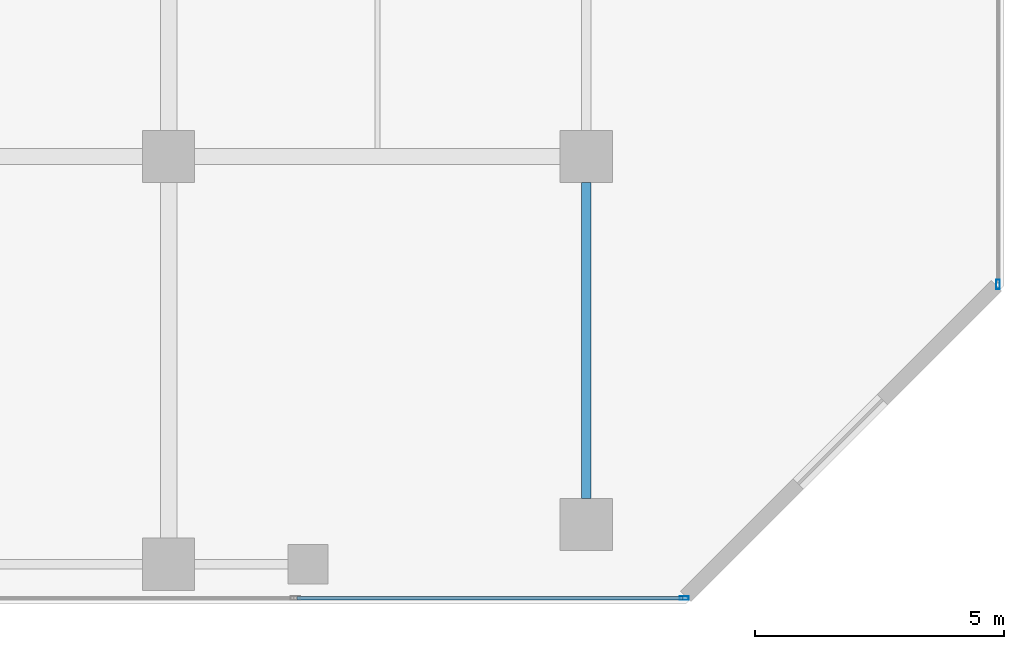
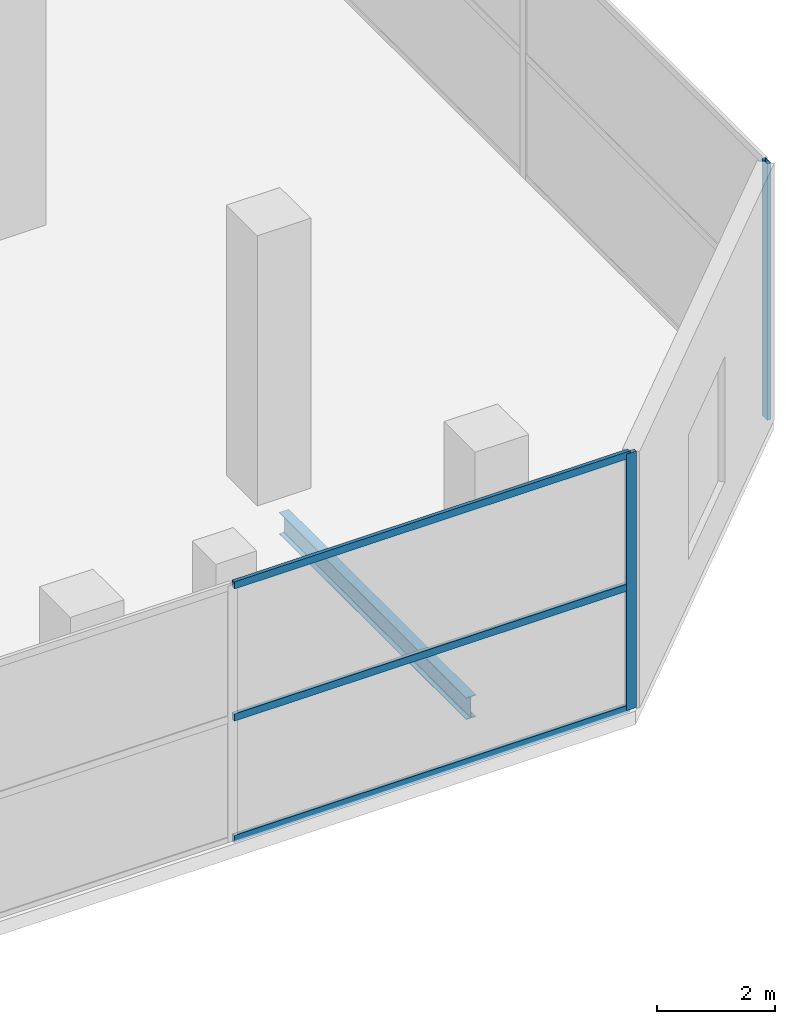
# One storey, part 24 of 40: 5 members, 1 beam, 2 elements without a shape of their own.
"""IFC4 building model written with IfcOpenShell, lengths in metres."""

from ifc_helpers import new_model, si_unit, direction, frame, origin, origin_2d, place, context, subcontext, project, spatial, hollow_rectangle, i_section, extrude, material, layer, layer_set, material_profile, profile_set, type_object, element, aggregate, save


model = new_model("IFC4")

# Units and contexts
model_context = context("Model", 3, precision=1e-05, world=origin(), true_north=direction((0.0, 1.0)))
body_context = subcontext(model_context, "Body", "Model", "MODEL_VIEW")
ifc_project = project(units=[si_unit("LENGTHUNIT", "METRE"), si_unit("AREAUNIT", "SQUARE_METRE"), si_unit("VOLUMEUNIT", "CUBIC_METRE"), si_unit("PLANEANGLEUNIT", "RADIAN"), si_unit("MASSUNIT", "GRAM", prefix="KILO")], contexts=[model_context])

# Site, building, storey
site_placement = place(None, origin())
site = spatial("IfcSite", under=ifc_project, at=site_placement, CompositionType="ELEMENT")
building_placement = place(site_placement, origin())
building = spatial("IfcBuilding", under=site, at=building_placement, Name="Maruvema Waterfront Hotel and Observation Tower", CompositionType="ELEMENT")
storey_placement = place(building_placement, frame((0.0, 0.0, 10.85009765625)))
storey = spatial("IfcBuildingStorey", under=building, at=storey_placement, Name="L02", CompositionType="ELEMENT", Elevation=10.85009765625)

# Curtain wall, members
ifc_material_1 = material(Name="Anodised bronze aluminium and solar-control low-E IGU", Category="aluminium")
ifc_layer = layer(ifc_material_1, 0.159912109375, Name="Podium Waterfront Storefront Curtain Wall System CW-01")
ifc_layer_set = layer_set([ifc_layer], Name="Anodised bronze aluminium and solar-control low-E IGU")
curtain_wall_type = type_object("IfcCurtainWallType", Name="Podium Waterfront Storefront Curtain Wall System CW-01", PredefinedType="USERDEFINED", material=ifc_layer_set)
curtain_wall_1_placement = place(storey_placement, origin())
curtain_wall_1 = element("IfcCurtainWall", 1, at=curtain_wall_1_placement, inside=storey, type_object=curtain_wall_type, Name="L02 Curtain Wall CW-L02-S", ObjectType="UNITISED CURTAIN WALL", PredefinedType="USERDEFINED")
ifc_material_2 = material(Name="Anodised architectural bronze aluminium", Category="aluminium")
ifc_material_profile_1 = material_profile(ifc_material_2, hollow_rectangle(XDim=0.070068359375, YDim=0.14990234375, WallThickness=0.00390625, at=origin_2d()), Name="ALU-T70x150")
ifc_profile_set_1 = profile_set([ifc_material_profile_1], Name="Anodised architectural bronze aluminium")
member_type_1 = type_object("IfcMemberType", Name="Curtain Wall Horizontal Transom ALU-T70x150", PredefinedType="USERDEFINED", material=ifc_profile_set_1)
member_1_placement = place(storey_placement, frame((61.3798828125, 0.1201171875, 0.02978515625), z_axis=(1.0, 0.0, 0.0), x_axis=(0.0, 1.0, 0.0)))
member_1 = element("IfcMember", 2, at=member_1_placement, type_object=member_type_1, Name="CW-01 transom 8.1", ObjectType="TRANSOM", PredefinedType="USERDEFINED", context=body_context, shape_type="SweptSolid", body=[
    extrude(hollow_rectangle(XDim=0.070068359375, YDim=0.14990234375, WallThickness=0.00390625, at=origin_2d()), origin(), (0.0, 0.0, 1.0), 7.760009765625),
])
member_2_placement = place(storey_placement, frame((61.3798828125, 0.1201171875, 2.5498046875), z_axis=(1.0, 0.0, 0.0), x_axis=(0.0, 1.0, 0.0)))
member_2 = element("IfcMember", 3, at=member_2_placement, type_object=member_type_1, Name="CW-01 transom 8.2", ObjectType="TRANSOM", PredefinedType="USERDEFINED", context=body_context, shape_type="SweptSolid", body=[
    extrude(hollow_rectangle(XDim=0.070068359375, YDim=0.14990234375, WallThickness=0.00390625, at=origin_2d()), origin(), (0.0, 0.0, 1.0), 7.760009765625),
])
member_3_placement = place(storey_placement, frame((61.3798828125, 0.1201171875, 5.289794921875), z_axis=(1.0, 0.0, 0.0), x_axis=(0.0, 1.0, 0.0)))
member_3 = element("IfcMember", 4, at=member_3_placement, type_object=member_type_1, Name="CW-01 transom 8.3", ObjectType="TRANSOM", PredefinedType="USERDEFINED", context=body_context, shape_type="SweptSolid", body=[
    extrude(hollow_rectangle(XDim=0.070068359375, YDim=0.14990234375, WallThickness=0.00390625, at=origin_2d()), origin(), (0.0, 0.0, 1.0), 7.760009765625),
])

# Beam
ifc_material_3 = material(Name="Steel ASTM A572 Grade 50", Category="steel")
ifc_material_profile_2 = material_profile(ifc_material_3, i_section(OverallWidth=0.18994140625, OverallDepth=0.45703125, WebThickness=0.009033203125, FlangeThickness=0.014404296875, FilletRadius=0.014892578125, at=origin_2d()), Name="W460x74.0")
ifc_profile_set_2 = profile_set([ifc_material_profile_2], Name="Steel ASTM A572 Grade 50")
beam_type = type_object("IfcBeamType", Name="Perimeter Spandrel Beam W460x74.0", PredefinedType="SPANDREL", material=ifc_profile_set_2)
beam_placement = place(storey_placement, frame((67.199951171875, 2.125, -0.508544921875), z_axis=(0.0, 1.0, 0.0), x_axis=(-1.0, 0.0, 0.0)))
element("IfcBeam", 5, at=beam_placement, inside=storey, type_object=beam_type, Name="L02 Floor Girder NS-29", PredefinedType="SPANDREL", context=body_context, shape_type="SweptSolid", body=[
    extrude(i_section(OverallWidth=0.18994140625, OverallDepth=0.45703125, WebThickness=0.009033203125, FlangeThickness=0.014404296875, FilletRadius=0.014892578125, at=origin_2d()), origin(), (0.0, 0.0, 1.0), 6.35009765625),
])

# Member
ifc_material_4 = material(Name="Anodised architectural bronze aluminium", Category="aluminium")
ifc_material_profile_3 = material_profile(ifc_material_4, hollow_rectangle(XDim=0.070068359375, YDim=0.18994140625, WallThickness=0.00390625, at=origin_2d()), Name="ALU-M70x190")
ifc_profile_set_3 = profile_set([ifc_material_profile_3], Name="Anodised architectural bronze aluminium")
member_type_2 = type_object("IfcMemberType", Name="Podium Storefront Heavy Mullion ALU-M70x190", PredefinedType="MULLION", material=ifc_profile_set_3)
member_4_placement = place(storey_placement, frame((69.169921875, 0.1201171875, 0.0), z_axis=(0.0, 0.0, 1.0), x_axis=(0.0, 1.0, 0.0)))
member_4 = element("IfcMember", 6, at=member_4_placement, type_object=member_type_2, Name="CW-01 mullion 9", PredefinedType="MULLION", context=body_context, shape_type="SweptSolid", body=[
    extrude(hollow_rectangle(XDim=0.070068359375, YDim=0.18994140625, WallThickness=0.00390625, at=origin_2d()), origin(), (0.0, 0.0, 1.0), 5.31982421875),
])

aggregate(curtain_wall_1, [member_4, member_1, member_2, member_3])

# Curtain wall, member
curtain_wall_2_placement = place(storey_placement, origin())
curtain_wall_2 = element("IfcCurtainWall", 7, at=curtain_wall_2_placement, inside=storey, type_object=curtain_wall_type, Name="L02 Curtain Wall CW-L02-E", ObjectType="UNITISED CURTAIN WALL", PredefinedType="USERDEFINED")
member_5_placement = place(storey_placement, frame((75.47998046875, 6.429931640625, 0.0), z_axis=(0.0, 0.0, 1.0), x_axis=(-1.0, 0.0, 0.0)))
member_5 = element("IfcMember", 8, at=member_5_placement, type_object=member_type_2, Name="CW-01 mullion 1", PredefinedType="MULLION", context=body_context, shape_type="SweptSolid", body=[
    extrude(hollow_rectangle(XDim=0.070068359375, YDim=0.18994140625, WallThickness=0.00390625, at=origin_2d()), origin(), (0.0, 0.0, 1.0), 5.31982421875),
])
aggregate(curtain_wall_2, [member_5])

save(model, "model.ifc")
